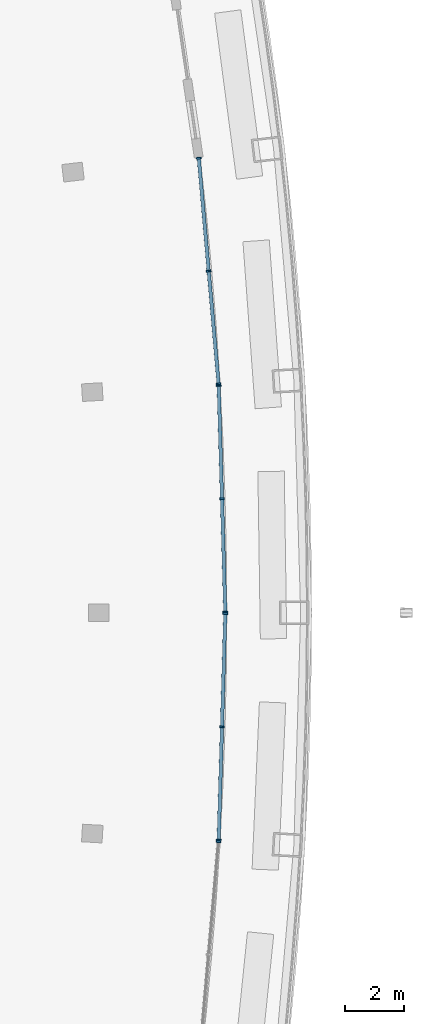
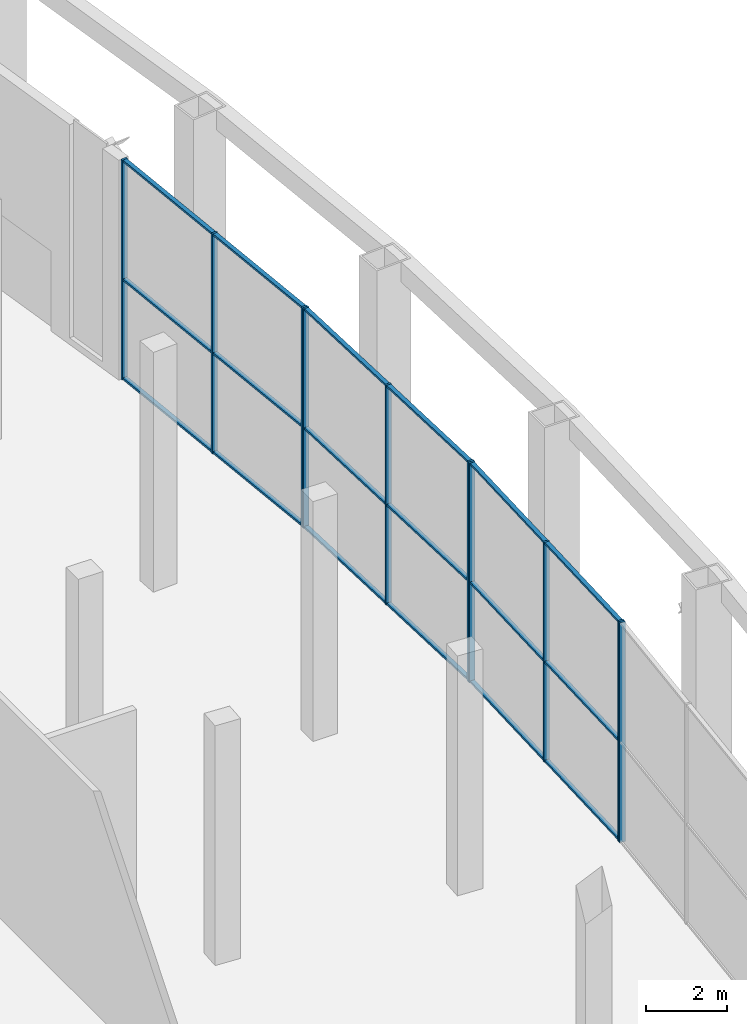
# One storey, part 9 of 25: 28 members, 4 elements without a shape of their own.
"""IFC4 building model written with IfcOpenShell, lengths in metres."""

from ifc_helpers import new_model, si_unit, direction, frame, origin, origin_2d, place, context, subcontext, project, spatial, rectangle, extrude, material, layer, layer_set, material_profile, profile_set, type_object, element, aggregate, save


model = new_model("IFC4")

# Units and contexts
model_context = context("Model", 3, precision=1e-05, world=origin(), true_north=direction((0.0, 1.0)))
body_context = subcontext(model_context, "Body", "Model", "MODEL_VIEW")
ifc_project = project(units=[si_unit("LENGTHUNIT", "METRE"), si_unit("AREAUNIT", "SQUARE_METRE"), si_unit("VOLUMEUNIT", "CUBIC_METRE"), si_unit("PLANEANGLEUNIT", "RADIAN"), si_unit("MASSUNIT", "GRAM", prefix="KILO")], contexts=[model_context])

# Site, building, storey
site_placement = place(None, origin())
site = spatial("IfcSite", under=ifc_project, at=site_placement, CompositionType="ELEMENT")
building_placement = place(site_placement, origin())
building = spatial("IfcBuilding", under=site, at=building_placement, Name="Alderwake Tower", CompositionType="ELEMENT")
storey_placement = place(building_placement, frame((0.0, 0.0, 288.800048828125)))
storey = spatial("IfcBuildingStorey", under=building, at=storey_placement, Name="L72", CompositionType="ELEMENT", Elevation=288.800048828125)

# Curtain wall, member
ifc_material_1 = material(Name="Bronze tinted glass in aluminium frame", Category="aluminium")
ifc_layer = layer(ifc_material_1, 0.199951171875)
ifc_layer_set = layer_set([ifc_layer], Name="Curtain wall CW3 sky garden glazing")
curtain_wall_type = type_object("IfcCurtainWallType", Name="Curtain wall CW3 sky garden glazing", PredefinedType="NOTDEFINED", material=ifc_layer_set)
curtain_wall_1_placement = place(storey_placement, origin())
curtain_wall_1 = element("IfcCurtainWall", 1, at=curtain_wall_1_placement, inside=storey, type_object=curtain_wall_type, Name="Curtain wall 3", PredefinedType="NOTDEFINED")
ifc_material_2 = material(Name="Aluminium bronze anodised", Category="aluminium")
ifc_material_profile_1 = material_profile(ifc_material_2, rectangle(XDim=0.159912109375, YDim=0.06005859375, at=origin_2d()), Name="Mullion MUC 60x160")
ifc_profile_set_1 = profile_set([ifc_material_profile_1], Name="Aluminium bronze anodised")
member_type_1 = type_object("IfcMemberType", Name="Mullion MUC 60x160", PredefinedType="MULLION", material=ifc_profile_set_1)
member_1_placement = place(storey_placement, frame((53.220458984375, 53.19140625, 0.0), z_axis=(0.0, 0.0, 1.0), x_axis=(-0.996174763176, 0.087383300533, 0.0)))
member_1 = element("IfcMember", 2, at=member_1_placement, type_object=member_type_1, Name="CW.03 mullion 3", PredefinedType="MULLION", context=body_context, shape_type="SweptSolid", body=[
    extrude(rectangle(XDim=0.159912109375, YDim=0.06005859375, at=origin_2d()), origin(), (0.0, 0.0, 1.0), 6.599853515625),
])
aggregate(curtain_wall_1, [member_1])

# Curtain wall, members
curtain_wall_2_placement = place(storey_placement, origin())
curtain_wall_2 = element("IfcCurtainWall", 3, at=curtain_wall_2_placement, inside=storey, type_object=curtain_wall_type, Name="Curtain wall 4", PredefinedType="NOTDEFINED")
member_2_placement = place(storey_placement, frame((53.223876953125, 53.248291015625, 0.0), z_axis=(0.0, 0.0, 1.0), x_axis=(-0.999574576139, 0.029166191657, 0.0)))
member_2 = element("IfcMember", 4, at=member_2_placement, type_object=member_type_1, Name="CW.04 mullion 1", PredefinedType="MULLION", context=body_context, shape_type="SweptSolid", body=[
    extrude(rectangle(XDim=0.159912109375, YDim=0.06005859375, at=origin_2d()), origin(), (0.0, 0.0, 1.0), 6.599853515625),
])
member_3_placement = place(storey_placement, frame((53.33642578125, 57.10986328125, 0.0), z_axis=(0.0, 0.0, 1.0), x_axis=(-0.999574576139, 0.029166191657, 0.0)))
member_3 = element("IfcMember", 5, at=member_3_placement, type_object=member_type_1, Name="CW.04 mullion 2", PredefinedType="MULLION", context=body_context, shape_type="SweptSolid", body=[
    extrude(rectangle(XDim=0.159912109375, YDim=0.06005859375, at=origin_2d()), origin(), (0.0, 0.0, 1.0), 6.599853515625),
])
member_4_placement = place(storey_placement, frame((53.44921875, 60.971435546875, 0.0), z_axis=(0.0, 0.0, 1.0), x_axis=(-0.999574576139, 0.029166191657, 0.0)))
member_4 = element("IfcMember", 6, at=member_4_placement, type_object=member_type_1, Name="CW.04 mullion 3", PredefinedType="MULLION", context=body_context, shape_type="SweptSolid", body=[
    extrude(rectangle(XDim=0.159912109375, YDim=0.06005859375, at=origin_2d()), origin(), (0.0, 0.0, 1.0), 6.599853515625),
])

curtain_wall_3_placement = place(storey_placement, origin())
curtain_wall_3 = element("IfcCurtainWall", 7, at=curtain_wall_3_placement, inside=storey, type_object=curtain_wall_type, Name="Curtain wall 5", PredefinedType="NOTDEFINED")
member_5_placement = place(storey_placement, frame((53.44921875, 61.028564453125, 0.0), z_axis=(0.0, 0.0, 1.0), x_axis=(-0.999574576139, -0.029166191657, 0.0)))
member_5 = element("IfcMember", 8, at=member_5_placement, type_object=member_type_1, Name="CW.05 mullion 1", PredefinedType="MULLION", context=body_context, shape_type="SweptSolid", body=[
    extrude(rectangle(XDim=0.159912109375, YDim=0.06005859375, at=origin_2d()), origin(), (0.0, 0.0, 1.0), 6.599853515625),
])
member_6_placement = place(storey_placement, frame((53.33642578125, 64.89013671875, 0.0), z_axis=(0.0, 0.0, 1.0), x_axis=(-0.999574576139, -0.029166191657, 0.0)))
member_6 = element("IfcMember", 9, at=member_6_placement, type_object=member_type_1, Name="CW.05 mullion 2", PredefinedType="MULLION", context=body_context, shape_type="SweptSolid", body=[
    extrude(rectangle(XDim=0.159912109375, YDim=0.06005859375, at=origin_2d()), origin(), (0.0, 0.0, 1.0), 6.599853515625),
])
member_7_placement = place(storey_placement, frame((53.223876953125, 68.751708984375, 0.0), z_axis=(0.0, 0.0, 1.0), x_axis=(-0.999574576139, -0.029166191657, 0.0)))
member_7 = element("IfcMember", 10, at=member_7_placement, type_object=member_type_1, Name="CW.05 mullion 3", PredefinedType="MULLION", context=body_context, shape_type="SweptSolid", body=[
    extrude(rectangle(XDim=0.159912109375, YDim=0.06005859375, at=origin_2d()), origin(), (0.0, 0.0, 1.0), 6.599853515625),
])

curtain_wall_4_placement = place(storey_placement, origin())
curtain_wall_4 = element("IfcCurtainWall", 11, at=curtain_wall_4_placement, inside=storey, type_object=curtain_wall_type, Name="Curtain wall 6", PredefinedType="NOTDEFINED")
member_8_placement = place(storey_placement, frame((53.220458984375, 68.80859375, 0.0), z_axis=(0.0, 0.0, 1.0), x_axis=(-0.996174763176, -0.087383300533, 0.0)))
member_8 = element("IfcMember", 12, at=member_8_placement, type_object=member_type_1, Name="CW.06 mullion 1", PredefinedType="MULLION", context=body_context, shape_type="SweptSolid", body=[
    extrude(rectangle(XDim=0.159912109375, YDim=0.06005859375, at=origin_2d()), origin(), (0.0, 0.0, 1.0), 6.599853515625),
])
member_9_placement = place(storey_placement, frame((52.8828125, 72.656982421875, 0.0), z_axis=(0.0, 0.0, 1.0), x_axis=(-0.996174763176, -0.087383300533, 0.0)))
member_9 = element("IfcMember", 13, at=member_9_placement, type_object=member_type_1, Name="CW.06 mullion 2", PredefinedType="MULLION", context=body_context, shape_type="SweptSolid", body=[
    extrude(rectangle(XDim=0.159912109375, YDim=0.06005859375, at=origin_2d()), origin(), (0.0, 0.0, 1.0), 6.599853515625),
])
member_10_placement = place(storey_placement, frame((52.54541015625, 76.50537109375, 0.0), z_axis=(0.0, 0.0, 1.0), x_axis=(-0.996174763176, -0.087383300533, 0.0)))
member_10 = element("IfcMember", 14, at=member_10_placement, type_object=member_type_1, Name="CW.06 mullion 3", PredefinedType="MULLION", context=body_context, shape_type="SweptSolid", body=[
    extrude(rectangle(XDim=0.159912109375, YDim=0.06005859375, at=origin_2d()), origin(), (0.0, 0.0, 1.0), 6.599853515625),
])

# Member
ifc_material_3 = material(Name="Aluminium bronze anodised", Category="aluminium")
ifc_material_profile_2 = material_profile(ifc_material_3, rectangle(XDim=0.1201171875, YDim=0.06005859375, at=origin_2d()), Name="Transom TRC 60x120")
ifc_profile_set_2 = profile_set([ifc_material_profile_2], Name="Aluminium bronze anodised")
member_type_2 = type_object("IfcMemberType", Name="Transom TRC 60x120", PredefinedType="USERDEFINED", material=ifc_profile_set_2)
member_11_placement = place(storey_placement, frame((53.224609375, 53.2783203125, 0.030029296875), z_axis=(0.029206646204, 0.999573394913, 0.0), x_axis=(-0.999573394913, 0.029206646204, 0.0)))
member_11 = element("IfcMember", 15, at=member_11_placement, type_object=member_type_2, Name="CW.04 transom 1.1", ObjectType="TRANSOM", PredefinedType="USERDEFINED", context=body_context, shape_type="SweptSolid", body=[
    extrude(rectangle(XDim=0.1201171875, YDim=0.06005859375, at=origin_2d()), origin(), (0.0, 0.0, 1.0), 3.803466796875),
])

member_12_placement = place(storey_placement, frame((53.224609375, 53.2783203125, 3.0), z_axis=(0.029206646204, 0.999573394913, 0.0), x_axis=(-0.999573394913, 0.029206646204, 0.0)))
member_12 = element("IfcMember", 16, at=member_12_placement, type_object=member_type_2, Name="CW.04 transom 1.2", ObjectType="TRANSOM", PredefinedType="USERDEFINED", context=body_context, shape_type="SweptSolid", body=[
    extrude(rectangle(XDim=0.1201171875, YDim=0.06005859375, at=origin_2d()), origin(), (0.0, 0.0, 1.0), 3.803466796875),
])

member_13_placement = place(storey_placement, frame((53.224609375, 53.2783203125, 6.570068359375), z_axis=(0.029206646204, 0.999573394913, 0.0), x_axis=(-0.999573394913, 0.029206646204, 0.0)))
member_13 = element("IfcMember", 17, at=member_13_placement, type_object=member_type_2, Name="CW.04 transom 1.3", ObjectType="TRANSOM", PredefinedType="USERDEFINED", context=body_context, shape_type="SweptSolid", body=[
    extrude(rectangle(XDim=0.1201171875, YDim=0.06005859375, at=origin_2d()), origin(), (0.0, 0.0, 1.0), 3.803466796875),
])

member_14_placement = place(storey_placement, frame((53.33740234375, 57.139892578125, 0.030029296875), z_axis=(0.029144380348, 0.999575212325, 0.0), x_axis=(-0.999575212325, 0.029144380348, 0.0)))
member_14 = element("IfcMember", 18, at=member_14_placement, type_object=member_type_2, Name="CW.04 transom 2.1", ObjectType="TRANSOM", PredefinedType="USERDEFINED", context=body_context, shape_type="SweptSolid", body=[
    extrude(rectangle(XDim=0.1201171875, YDim=0.06005859375, at=origin_2d()), origin(), (0.0, 0.0, 1.0), 3.80322265625),
])

member_15_placement = place(storey_placement, frame((53.33740234375, 57.139892578125, 3.0), z_axis=(0.029144380348, 0.999575212325, 0.0), x_axis=(-0.999575212325, 0.029144380348, 0.0)))
member_15 = element("IfcMember", 19, at=member_15_placement, type_object=member_type_2, Name="CW.04 transom 2.2", ObjectType="TRANSOM", PredefinedType="USERDEFINED", context=body_context, shape_type="SweptSolid", body=[
    extrude(rectangle(XDim=0.1201171875, YDim=0.06005859375, at=origin_2d()), origin(), (0.0, 0.0, 1.0), 3.80322265625),
])

member_16_placement = place(storey_placement, frame((53.33740234375, 57.139892578125, 6.570068359375), z_axis=(0.029144380348, 0.999575212325, 0.0), x_axis=(-0.999575212325, 0.029144380348, 0.0)))
member_16 = element("IfcMember", 20, at=member_16_placement, type_object=member_type_2, Name="CW.04 transom 2.3", ObjectType="TRANSOM", PredefinedType="USERDEFINED", context=body_context, shape_type="SweptSolid", body=[
    extrude(rectangle(XDim=0.1201171875, YDim=0.06005859375, at=origin_2d()), origin(), (0.0, 0.0, 1.0), 3.80322265625),
])

aggregate(curtain_wall_2, [member_2, member_3, member_4, member_11, member_12, member_13, member_14, member_15, member_16])

member_17_placement = place(storey_placement, frame((53.4482421875, 61.05859375, 0.030029296875), z_axis=(-0.029144380348, 0.999575212325, 0.0), x_axis=(-0.999575212325, -0.029144380348, 0.0)))
member_17 = element("IfcMember", 21, at=member_17_placement, type_object=member_type_2, Name="CW.05 transom 1.1", ObjectType="TRANSOM", PredefinedType="USERDEFINED", context=body_context, shape_type="SweptSolid", body=[
    extrude(rectangle(XDim=0.1201171875, YDim=0.06005859375, at=origin_2d()), origin(), (0.0, 0.0, 1.0), 3.80322265625),
])

member_18_placement = place(storey_placement, frame((53.4482421875, 61.05859375, 3.0), z_axis=(-0.029144380348, 0.999575212325, 0.0), x_axis=(-0.999575212325, -0.029144380348, 0.0)))
member_18 = element("IfcMember", 22, at=member_18_placement, type_object=member_type_2, Name="CW.05 transom 1.2", ObjectType="TRANSOM", PredefinedType="USERDEFINED", context=body_context, shape_type="SweptSolid", body=[
    extrude(rectangle(XDim=0.1201171875, YDim=0.06005859375, at=origin_2d()), origin(), (0.0, 0.0, 1.0), 3.80322265625),
])

member_19_placement = place(storey_placement, frame((53.4482421875, 61.05859375, 6.570068359375), z_axis=(-0.029144380348, 0.999575212325, 0.0), x_axis=(-0.999575212325, -0.029144380348, 0.0)))
member_19 = element("IfcMember", 23, at=member_19_placement, type_object=member_type_2, Name="CW.05 transom 1.3", ObjectType="TRANSOM", PredefinedType="USERDEFINED", context=body_context, shape_type="SweptSolid", body=[
    extrude(rectangle(XDim=0.1201171875, YDim=0.06005859375, at=origin_2d()), origin(), (0.0, 0.0, 1.0), 3.80322265625),
])

member_20_placement = place(storey_placement, frame((53.335693359375, 64.919921875, 0.030029296875), z_axis=(-0.029206646204, 0.999573394913, 0.0), x_axis=(-0.999573394913, -0.029206646204, 0.0)))
member_20 = element("IfcMember", 24, at=member_20_placement, type_object=member_type_2, Name="CW.05 transom 2.1", ObjectType="TRANSOM", PredefinedType="USERDEFINED", context=body_context, shape_type="SweptSolid", body=[
    extrude(rectangle(XDim=0.1201171875, YDim=0.06005859375, at=origin_2d()), origin(), (0.0, 0.0, 1.0), 3.803466796875),
])

member_21_placement = place(storey_placement, frame((53.335693359375, 64.919921875, 3.0), z_axis=(-0.029206646204, 0.999573394913, 0.0), x_axis=(-0.999573394913, -0.029206646204, 0.0)))
member_21 = element("IfcMember", 25, at=member_21_placement, type_object=member_type_2, Name="CW.05 transom 2.2", ObjectType="TRANSOM", PredefinedType="USERDEFINED", context=body_context, shape_type="SweptSolid", body=[
    extrude(rectangle(XDim=0.1201171875, YDim=0.06005859375, at=origin_2d()), origin(), (0.0, 0.0, 1.0), 3.803466796875),
])

member_22_placement = place(storey_placement, frame((53.335693359375, 64.919921875, 6.570068359375), z_axis=(-0.029206646204, 0.999573394913, 0.0), x_axis=(-0.999573394913, -0.029206646204, 0.0)))
member_22 = element("IfcMember", 26, at=member_22_placement, type_object=member_type_2, Name="CW.05 transom 2.3", ObjectType="TRANSOM", PredefinedType="USERDEFINED", context=body_context, shape_type="SweptSolid", body=[
    extrude(rectangle(XDim=0.1201171875, YDim=0.06005859375, at=origin_2d()), origin(), (0.0, 0.0, 1.0), 3.803466796875),
])

aggregate(curtain_wall_3, [member_5, member_6, member_7, member_17, member_18, member_19, member_20, member_21, member_22])

member_23_placement = place(storey_placement, frame((53.2177734375, 68.83837890625, 0.030029296875), z_axis=(-0.087363631715, 0.996176488306, 0.0), x_axis=(-0.996176488306, -0.087363631715, 0.0)))
member_23 = element("IfcMember", 27, at=member_23_placement, type_object=member_type_2, Name="CW.06 transom 1.1", ObjectType="TRANSOM", PredefinedType="USERDEFINED", context=body_context, shape_type="SweptSolid", body=[
    extrude(rectangle(XDim=0.1201171875, YDim=0.06005859375, at=origin_2d()), origin(), (0.0, 0.0, 1.0), 3.803466796875),
])

member_24_placement = place(storey_placement, frame((53.2177734375, 68.83837890625, 3.0), z_axis=(-0.087363631715, 0.996176488306, 0.0), x_axis=(-0.996176488306, -0.087363631715, 0.0)))
member_24 = element("IfcMember", 28, at=member_24_placement, type_object=member_type_2, Name="CW.06 transom 1.2", ObjectType="TRANSOM", PredefinedType="USERDEFINED", context=body_context, shape_type="SweptSolid", body=[
    extrude(rectangle(XDim=0.1201171875, YDim=0.06005859375, at=origin_2d()), origin(), (0.0, 0.0, 1.0), 3.803466796875),
])

member_25_placement = place(storey_placement, frame((53.2177734375, 68.83837890625, 6.570068359375), z_axis=(-0.087363631715, 0.996176488306, 0.0), x_axis=(-0.996176488306, -0.087363631715, 0.0)))
member_25 = element("IfcMember", 29, at=member_25_placement, type_object=member_type_2, Name="CW.06 transom 1.3", ObjectType="TRANSOM", PredefinedType="USERDEFINED", context=body_context, shape_type="SweptSolid", body=[
    extrude(rectangle(XDim=0.1201171875, YDim=0.06005859375, at=origin_2d()), origin(), (0.0, 0.0, 1.0), 3.803466796875),
])

member_26_placement = place(storey_placement, frame((52.88037109375, 72.686767578125, 0.030029296875), z_axis=(-0.087427332015, 0.996170899804, 0.0), x_axis=(-0.996170899804, -0.087427332015, 0.0)))
member_26 = element("IfcMember", 30, at=member_26_placement, type_object=member_type_2, Name="CW.06 transom 2.1", ObjectType="TRANSOM", PredefinedType="USERDEFINED", context=body_context, shape_type="SweptSolid", body=[
    extrude(rectangle(XDim=0.1201171875, YDim=0.06005859375, at=origin_2d()), origin(), (0.0, 0.0, 1.0), 3.803466796875),
])

member_27_placement = place(storey_placement, frame((52.88037109375, 72.686767578125, 3.0), z_axis=(-0.087427332015, 0.996170899804, 0.0), x_axis=(-0.996170899804, -0.087427332015, 0.0)))
member_27 = element("IfcMember", 31, at=member_27_placement, type_object=member_type_2, Name="CW.06 transom 2.2", ObjectType="TRANSOM", PredefinedType="USERDEFINED", context=body_context, shape_type="SweptSolid", body=[
    extrude(rectangle(XDim=0.1201171875, YDim=0.06005859375, at=origin_2d()), origin(), (0.0, 0.0, 1.0), 3.803466796875),
])

member_28_placement = place(storey_placement, frame((52.88037109375, 72.686767578125, 6.570068359375), z_axis=(-0.087427332015, 0.996170899804, 0.0), x_axis=(-0.996170899804, -0.087427332015, 0.0)))
member_28 = element("IfcMember", 32, at=member_28_placement, type_object=member_type_2, Name="CW.06 transom 2.3", ObjectType="TRANSOM", PredefinedType="USERDEFINED", context=body_context, shape_type="SweptSolid", body=[
    extrude(rectangle(XDim=0.1201171875, YDim=0.06005859375, at=origin_2d()), origin(), (0.0, 0.0, 1.0), 3.803466796875),
])

aggregate(curtain_wall_4, [member_8, member_9, member_10, member_23, member_24, member_25, member_26, member_27, member_28])

save(model, "model.ifc")
